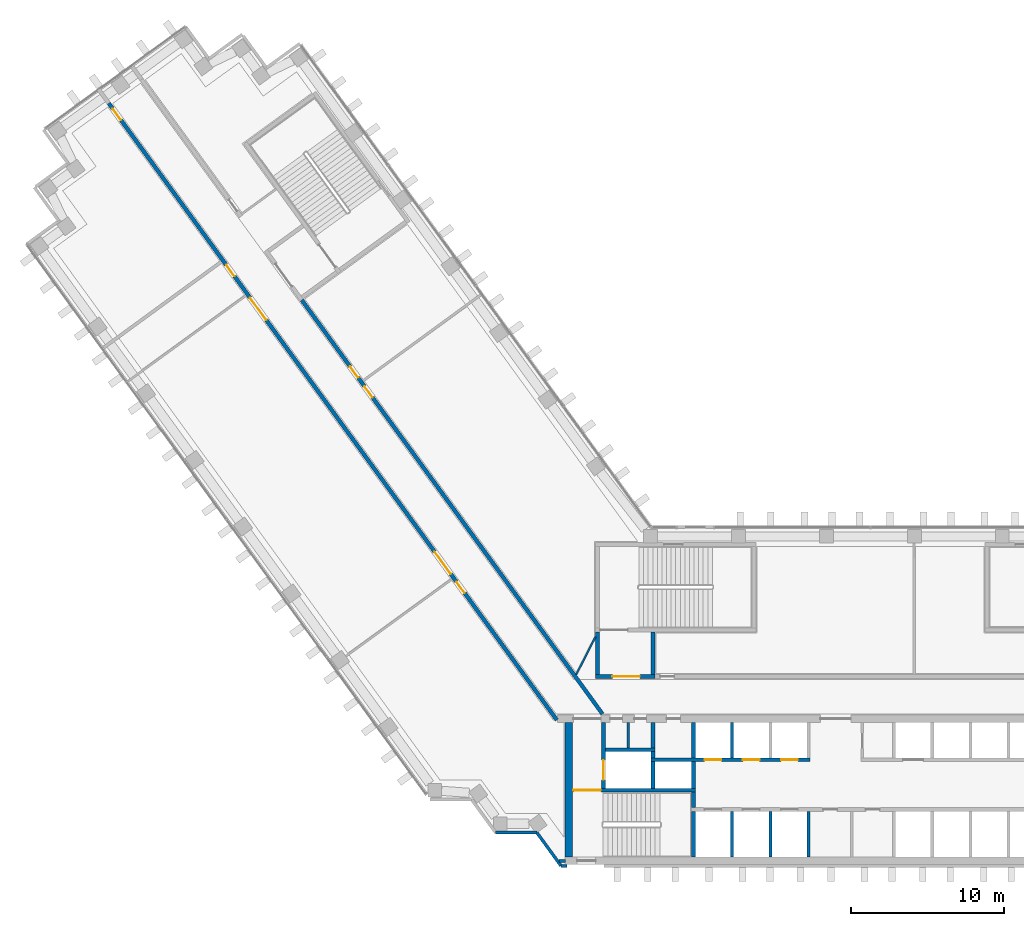
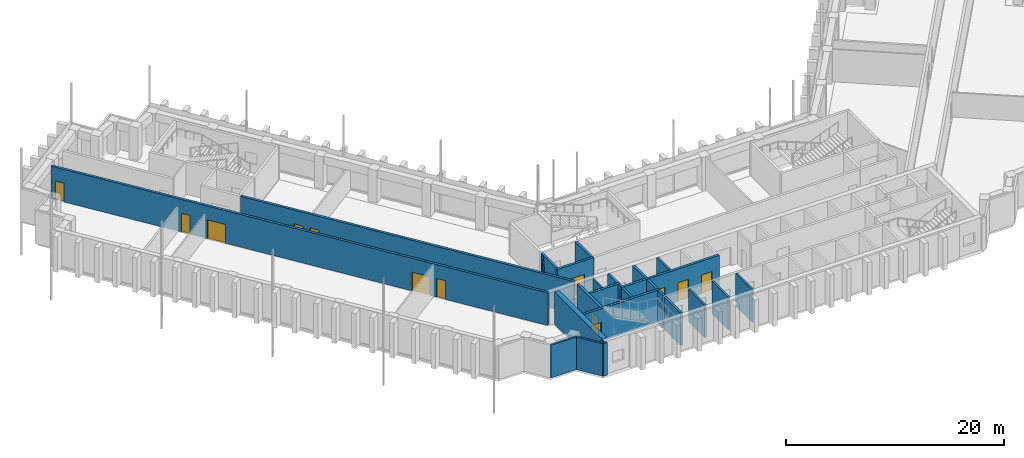
# One storey, part 9 of 16: 27 walls, 13 doors, 13 openings.
"""IFC4 building model written with IfcOpenShell, lengths in metres."""

import ifcopenshell
import ifcopenshell.guid

model = None  # the IFC model being written
_history = None  # IfcOwnerHistory: only IFC2X3 demands one
_inside = {}  # id of a spatial element -> (the spatial element, [elements in it])
_under = {}  # id of a project, library or spatial element -> (it, [spatial elements below it])
_declared = {}  # id of a project -> (the project, [libraries it declares])
_typed = {}  # id of a type object -> (the type object, [elements of that type])
_made_of = {}  # id of a material, layer set ... -> (it, [elements and type objects made of it])


def new_model(schema):
    """Start an empty IFC model of exactly this schema.

    Asked for "IFC4X3", IfcOpenShell would pick the latest addendum, in which some entities
    have other attributes; the version numbers below select the first issue.
    IFC2X3 requires an IfcOwnerHistory on every rooted entity: one is made here for all.
    """
    global model, _history
    if schema == "IFC4X3":
        model = ifcopenshell.file(schema_version=(4, 3, 0, 0))
    else:
        model = ifcopenshell.file(schema=schema)
    _inside.clear()
    _under.clear()
    _declared.clear()
    _typed.clear()
    _made_of.clear()
    _history = None
    if model.schema == "IFC2X3":
        org = make("IfcOrganization", Name="unknown")
        user = make(
            "IfcPersonAndOrganization",
            ThePerson=make("IfcPerson", FamilyName="unknown"),
            TheOrganization=org,
        )
        app = make(
            "IfcApplication",
            ApplicationDeveloper=org,
            Version="unknown",
            ApplicationFullName="unknown",
            ApplicationIdentifier="unknown",
        )
        _history = make(
            "IfcOwnerHistory",
            OwningUser=user,
            OwningApplication=app,
            ChangeAction="ADDED",
            CreationDate=0,
        )
    return model


def make(cls, **values):
    """One entity of the class cls with the attributes given. An attribute that is None is left unset."""
    return model.create_entity(
        cls, **{name: value for name, value in values.items() if value is not None}
    )


def rooted(cls, **values):
    """An entity with a GlobalId (a new one), such as an element, a storey or a relation."""
    return make(cls, GlobalId=ifcopenshell.guid.new(), OwnerHistory=_history, **values)


def si_unit(unit_type, name, prefix=None):
    """IfcSIUnit, for example si_unit("LENGTHUNIT", "METRE", prefix="MILLI")."""
    return make("IfcSIUnit", UnitType=unit_type, Prefix=prefix, Name=name)


def assignment(units):
    """IfcUnitAssignment: the units of a project."""
    return None if units is None else make("IfcUnitAssignment", Units=units)


def point(xyz):
    """IfcCartesianPoint."""
    return None if xyz is None else make("IfcCartesianPoint", Coordinates=xyz)


def direction(xyz):
    """IfcDirection."""
    return None if xyz is None else make("IfcDirection", DirectionRatios=xyz)


def frame(location, z_axis=None, x_axis=None):
    """IfcAxis2Placement3D, a coordinate frame: its origin and axes. An axis left out is left unset."""
    return make(
        "IfcAxis2Placement3D",
        Location=point(location),
        Axis=direction(z_axis),
        RefDirection=direction(x_axis),
    )


def frame_2d(location, x_axis=None):
    """IfcAxis2Placement2D, a coordinate frame in the plane: its origin and x axis."""
    return make(
        "IfcAxis2Placement2D", Location=point(location), RefDirection=direction(x_axis)
    )


def origin():
    """The frame at (0, 0, 0) with its axes left unset."""
    return frame((0.0, 0.0, 0.0))


def place(relative_to, where):
    """IfcLocalPlacement: puts the frame where relative to a parent placement (None: the world)."""
    return make(
        "IfcLocalPlacement", PlacementRelTo=relative_to, RelativePlacement=where
    )


def context(
    kind, dimensions, precision=None, world=None, true_north=None, identifier=None
):
    """IfcGeometricRepresentationContext, for example the 3D "Model" context."""
    return make(
        "IfcGeometricRepresentationContext",
        ContextIdentifier=identifier,
        ContextType=kind,
        CoordinateSpaceDimension=dimensions,
        Precision=precision,
        WorldCoordinateSystem=world,
        TrueNorth=true_north,
    )


def subcontext(parent, identifier, kind, view, scale=None):
    """IfcGeometricRepresentationSubContext, for example "Body" below "Model"."""
    return make(
        "IfcGeometricRepresentationSubContext",
        ContextIdentifier=identifier,
        ContextType=kind,
        ParentContext=parent,
        TargetScale=scale,
        TargetView=view,
    )


def project(units=None, contexts=None):
    """IfcProject with its units and contexts."""
    return rooted(
        "IfcProject",
        Name="project",
        RepresentationContexts=contexts,
        UnitsInContext=assignment(units),
    )


def spatial(cls, under=None, at=None, **own):
    """A site, building, storey or space (cls), placed at a placement, below another one or the project."""
    s = rooted(cls, ObjectPlacement=at, **own)
    if under is not None:
        _under.setdefault(under.id(), (under, []))[1].append(s)
    return s


def profile(cls, at=None, kind="AREA", **sizes):
    """A parametric profile (cls). Its sizes go by their IFC names, for example OverallWidth=200.0."""
    return make(cls, ProfileType=kind, Position=at, **sizes)


def rectangle(**sizes):
    """IfcRectangleProfileDef."""
    return profile("IfcRectangleProfileDef", **sizes)


def extrude(swept, where, along, depth):
    """IfcExtrudedAreaSolid: the profile swept, set in the frame where, extruded along a direction by depth."""
    return make(
        "IfcExtrudedAreaSolid",
        SweptArea=swept,
        Position=where,
        ExtrudedDirection=direction(along),
        Depth=depth,
    )


def shape(context_of_items, identifier, shape_type, items):
    """IfcShapeRepresentation: the items that make up one representation, for example the "Body"."""
    return make(
        "IfcShapeRepresentation",
        ContextOfItems=context_of_items,
        RepresentationIdentifier=identifier,
        RepresentationType=shape_type,
        Items=items,
    )


def material(Name=None, Category=None):
    """IfcMaterial."""
    return make("IfcMaterial", Name=Name, Category=Category)


def layer(
    of_material, thickness, ventilated=None, Name=None, Category=None, Priority=None
):
    """IfcMaterialLayer: one layer of a wall or slab, of a material (None: an air gap)."""
    return make(
        "IfcMaterialLayer",
        Material=of_material,
        LayerThickness=thickness,
        IsVentilated=ventilated,
        Name=Name,
        Category=Category,
        Priority=Priority,
    )


def layer_set(layers, Name=None):
    """IfcMaterialLayerSet."""
    return make("IfcMaterialLayerSet", MaterialLayers=layers, LayerSetName=Name)


def made_of(thing, what):
    """Note that an element or type object is made of a material, layer set ...; save() writes the relation."""
    if what is not None:
        _made_of.setdefault(what.id(), (what, []))[1].append(thing)
    return thing


def type_object(cls, material=None, **own):
    """A type object (cls), such as IfcWallType, which elements share."""
    return made_of(rooted(cls, **own), material)


def element(
    cls,
    number,
    at=None,
    inside=None,
    cuts=None,
    type_object=None,
    material=None,
    context=None,
    identifier="Body",
    shape_type=None,
    held_by="IfcProductDefinitionShape",
    body=None,
    shapes=None,
    **own,
):
    """One element of the class cls, such as IfcWall. Its Tag is "e" and its number.

    at: its placement. inside: the storey or other place that contains it. cuts: it is an
    opening in that element (IfcRelVoidsElement). A single representation is given by context,
    identifier, shape_type and body (its items); several are given by shapes. held_by: the class
    of the entity that holds the representations. save() writes the other relations.
    """
    e = rooted(cls, Tag="e%d" % number, ObjectPlacement=at, **own)
    if body is not None:
        shapes = [shape(context, identifier, shape_type, body)]
    if shapes is not None:
        e.Representation = make(held_by, Representations=shapes)
    if inside is not None:
        _inside.setdefault(inside.id(), (inside, []))[1].append(e)
    if cuts is not None:
        rooted(
            "IfcRelVoidsElement", RelatingBuildingElement=cuts, RelatedOpeningElement=e
        )
    if type_object is not None:
        _typed.setdefault(type_object.id(), (type_object, []))[1].append(e)
    return made_of(e, material)


def fill(opening, filler):
    """IfcRelFillsElement: the door or window that sits in an opening."""
    return rooted(
        "IfcRelFillsElement",
        RelatingOpeningElement=opening,
        RelatedBuildingElement=filler,
    )


def aggregate(whole, parts):
    """IfcRelAggregates: a whole, such as a stair, and the parts it consists of."""
    return rooted("IfcRelAggregates", RelatingObject=whole, RelatedObjects=parts)


def save(model, path):
    """Write the relations noted so far, then the file.

    IfcRelAggregates (storeys below a building ...), IfcRelContainedInSpatialStructure (elements
    in a storey), IfcRelDefinesByType, IfcRelAssociatesMaterial and IfcRelDeclares: one each for
    every whole, place, type object, material and project.
    """
    for whole, parts in _under.values():
        aggregate(whole, parts)
    for where, things in _inside.values():
        rooted(
            "IfcRelContainedInSpatialStructure",
            RelatedElements=things,
            RelatingStructure=where,
        )
    for kind, things in _typed.values():
        rooted("IfcRelDefinesByType", RelatedObjects=things, RelatingType=kind)
    for what, things in _made_of.values():
        rooted("IfcRelAssociatesMaterial", RelatedObjects=things, RelatingMaterial=what)
    for by, libraries in _declared.values():
        rooted("IfcRelDeclares", RelatingContext=by, RelatedDefinitions=libraries)
    model.write(path)


model = new_model("IFC4")

# Units and contexts
model_context = context("Model", 3, precision=1e-05, world=origin(), true_north=direction((0.0, 1.0)))
body_context = subcontext(model_context, "Body", "Model", "MODEL_VIEW")
ifc_project = project(units=[si_unit("LENGTHUNIT", "METRE"), si_unit("AREAUNIT", "SQUARE_METRE"), si_unit("VOLUMEUNIT", "CUBIC_METRE"), si_unit("PLANEANGLEUNIT", "RADIAN"), si_unit("MASSUNIT", "GRAM", prefix="KILO")], contexts=[model_context])

# Site, building, storey
site_placement = place(None, origin())
site = spatial("IfcSite", under=ifc_project, at=site_placement, CompositionType="ELEMENT")
building_placement = place(site_placement, origin())
building = spatial("IfcBuilding", under=site, at=building_placement, Name="Quipu Civic Tower", CompositionType="ELEMENT")
storey_placement = place(building_placement, frame((0.0, 0.0, 113.0)))
storey = spatial("IfcBuildingStorey", under=building, at=storey_placement, Name="L26", CompositionType="ELEMENT", Elevation=113.0)

# Walls
ifc_material_1 = material(Name="Concrete C70/85", Category="concrete")
ifc_layer_1 = layer(ifc_material_1, 0.25)
ifc_layer_set_1 = layer_set([ifc_layer_1], Name="Concrete C70/85")
wall_type_1 = type_object("IfcWallType", Name="Core wall 250", PredefinedType="SHEAR", material=ifc_layer_set_1)
wall_1_placement = place(storey_placement, frame((-11.574951171875, -10.5, 0.0), z_axis=(0.0, 0.0, 1.0), x_axis=(0.0, 1.0, 0.0)))
element("IfcWall", 1, at=wall_1_placement, inside=storey, type_object=wall_type_1, Name="Core wall", PredefinedType="SHEAR", context=body_context, shape_type="SweptSolid", body=[
    extrude(rectangle(XDim=3.0, YDim=0.25, at=frame_2d((1.5, 0.0))), origin(), (0.0, 0.0, 1.0), 3.64990234375),
])
wall_2_placement = place(storey_placement, frame((-11.574951171875, -7.25, 0.0), z_axis=(0.0, 0.0, 1.0), x_axis=(0.0, 1.0, 0.0)))
element("IfcWall", 2, at=wall_2_placement, inside=storey, type_object=wall_type_1, Name="Core wall", PredefinedType="SHEAR", context=body_context, shape_type="SweptSolid", body=[
    extrude(rectangle(XDim=1.0, YDim=0.25, at=frame_2d((0.5, 0.0))), origin(), (0.0, 0.0, 1.0), 3.64990234375),
])

# Wall, opening, door
wall_3_placement = place(storey_placement, frame((-11.449951171875, -6.125, 0.0), z_axis=(0.0, 0.0, 1.0), x_axis=(-1.0, 0.0, 0.0)))
wall_3 = element("IfcWall", 3, at=wall_3_placement, inside=storey, type_object=wall_type_1, Name="Core wall", PredefinedType="SHEAR", context=body_context, shape_type="SweptSolid", body=[
    extrude(rectangle(XDim=8.050048828125, YDim=0.25, at=frame_2d((4.02490234375, 0.0))), origin(), (0.0, 0.0, 1.0), 3.64990234375),
])
opening_1_placement = place(wall_3_placement, frame((6.199951171875, 0.0, 0.0)))
opening_1 = element("IfcOpeningElement", 4, at=opening_1_placement, cuts=wall_3, Name="Opening CD-03", PredefinedType="OPENING", context=body_context, shape_type="SweptSolid", body=[
    extrude(rectangle(XDim=1.800048828125, YDim=2.10009765625, at=frame_2d((0.89990234375, 1.050048828125))), frame((0.0, 0.135009765625, 0.0), z_axis=(0.0, -1.0, 0.0), x_axis=(1.0, 0.0, 0.0)), (0.0, 0.0, 1.0), 0.27001953125),
])
ifc_material_2 = material(Name="Fire rated steel door", Category="steel")
door_type_1 = type_object("IfcDoorType", Name="Fire door FD90 double 1800 x 2100", OperationType="NOTDEFINED", PredefinedType="DOOR", material=ifc_material_2)
door_1_placement = place(opening_1_placement, origin())
door_1 = element("IfcDoor", 5, at=door_1_placement, inside=storey, type_object=door_type_1, Name="Door", OperationType="DOUBLE_DOOR_SINGLE_SWING", OverallHeight=2.10009765625, OverallWidth=1.800048828125, PredefinedType="DOOR", context=body_context, shape_type="SweptSolid", body=[
    extrude(rectangle(XDim=1.800048828125, YDim=2.10009765625, at=frame_2d((0.89990234375, 1.050048828125))), frame((0.0, 0.02490234375, 0.0), z_axis=(0.0, -1.0, 0.0), x_axis=(1.0, 0.0, 0.0)), (0.0, 0.0, 1.0), 0.050048828125),
])
fill(opening_1, door_1)

wall_4_placement = place(storey_placement, frame((-17.47509765625, -6.0, 0.0), z_axis=(0.0, 0.0, 1.0), x_axis=(0.0, 1.0, 0.0)))
wall_4 = element("IfcWall", 6, at=wall_4_placement, inside=storey, type_object=wall_type_1, Name="Core wall", PredefinedType="SHEAR", context=body_context, shape_type="SweptSolid", body=[
    extrude(rectangle(XDim=4.300048828125, YDim=0.25, at=frame_2d((2.14990234375, 0.0))), origin(), (0.0, 0.0, 1.0), 3.64990234375),
])
opening_2_placement = place(wall_4_placement, frame((0.550048828125, 0.0, 0.0)))
opening_2 = element("IfcOpeningElement", 7, at=opening_2_placement, cuts=wall_4, Name="Opening LD-FF1", PredefinedType="OPENING", context=body_context, shape_type="SweptSolid", body=[
    extrude(rectangle(XDim=1.300048828125, YDim=2.10009765625, at=frame_2d((0.64990234375, 1.050048828125))), frame((0.0, 0.135009765625, 0.0), z_axis=(0.0, -1.0, 0.0), x_axis=(1.0, 0.0, 0.0)), (0.0, 0.0, 1.0), 0.27001953125),
])
ifc_material_3 = material(Name="Stainless steel", Category="steel")
door_type_2 = type_object("IfcDoorType", Name="Lift landing door 1300 x 2100", OperationType="DOUBLE_DOOR_SLIDING", PredefinedType="DOOR", material=ifc_material_3)
door_2_placement = place(opening_2_placement, origin())
door_2 = element("IfcDoor", 8, at=door_2_placement, inside=storey, type_object=door_type_2, Name="Landing door FF1", OperationType="DOUBLE_DOOR_SLIDING", OverallHeight=2.10009765625, OverallWidth=1.300048828125, PredefinedType="DOOR", context=body_context, shape_type="SweptSolid", body=[
    extrude(rectangle(XDim=1.300048828125, YDim=2.10009765625, at=frame_2d((0.64990234375, 1.050048828125))), frame((0.0, 0.02490234375, 0.0), z_axis=(0.0, -1.0, 0.0), x_axis=(1.0, 0.0, 0.0)), (0.0, 0.0, 1.0), 0.050048828125),
])
fill(opening_2, door_2)

# Walls
for number, where, z_axis, x_axis, name in (
    (9, (-14.22509765625, -6.0, 0.0), (0.0, 0.0, 1.0), (0.0, 1.0, 0.0), "Core wall"),
    (10, (-11.574951171875, -6.0, 0.0), (0.0, 0.0, 1.0), (0.0, 1.0, 0.0), "Core wall"),
):
    element("IfcWall", number, at=place(storey_placement, frame(where, z_axis=z_axis, x_axis=x_axis)), inside=storey, type_object=wall_type_1, Name=name, PredefinedType="SHEAR", context=body_context, shape_type="SweptSolid", body=[
        extrude(rectangle(XDim=1.75, YDim=0.25, at=frame_2d((0.875, 0.0))), origin(), (0.0, 0.0, 1.0), 3.64990234375),
    ])

# Wall, openings, doors
wall_5_placement = place(storey_placement, frame((-14.35009765625, -4.125, 0.0), z_axis=(0.0, 0.0, 1.0), x_axis=(1.0, 0.0, 0.0)))
wall_5 = element("IfcWall", 11, at=wall_5_placement, inside=storey, type_object=wall_type_1, Name="Core wall", PredefinedType="SHEAR", context=body_context, shape_type="SweptSolid", body=[
    extrude(rectangle(XDim=10.400146484375, YDim=0.25, at=frame_2d((5.2001953125, 0.0))), origin(), (0.0, 0.0, 1.0), 3.64990234375),
])
opening_3_placement = place(wall_5_placement, frame((3.5, 0.0, 0.0)))
opening_3 = element("IfcOpeningElement", 12, at=opening_3_placement, cuts=wall_5, Name="Opening LD-LL4", PredefinedType="OPENING", context=body_context, shape_type="SweptSolid", body=[
    extrude(rectangle(XDim=1.10009765625, YDim=2.10009765625, at=frame_2d((0.550048828125, 1.050048828125))), frame((0.0, 0.135009765625, 0.0), z_axis=(0.0, -1.0, 0.0), x_axis=(1.0, 0.0, 0.0)), (0.0, 0.0, 1.0), 0.27001953125),
])
opening_4_placement = place(wall_5_placement, frame((6.0, 0.0, 0.0)))
opening_4 = element("IfcOpeningElement", 13, at=opening_4_placement, cuts=wall_5, Name="Opening LD-LL5", PredefinedType="OPENING", context=body_context, shape_type="SweptSolid", body=[
    extrude(rectangle(XDim=1.10009765625, YDim=2.10009765625, at=frame_2d((0.550048828125, 1.050048828125))), frame((0.0, 0.135009765625, 0.0), z_axis=(0.0, -1.0, 0.0), x_axis=(1.0, 0.0, 0.0)), (0.0, 0.0, 1.0), 0.27001953125),
])
opening_5_placement = place(wall_5_placement, frame((8.5, 0.0, 0.0)))
opening_5 = element("IfcOpeningElement", 14, at=opening_5_placement, cuts=wall_5, Name="Opening LD-LL6", PredefinedType="OPENING", context=body_context, shape_type="SweptSolid", body=[
    extrude(rectangle(XDim=1.10009765625, YDim=2.10009765625, at=frame_2d((0.550048828125, 1.050048828125))), frame((0.0, 0.135009765625, 0.0), z_axis=(0.0, -1.0, 0.0), x_axis=(1.0, 0.0, 0.0)), (0.0, 0.0, 1.0), 0.27001953125),
])
ifc_material_4 = material(Name="Stainless steel", Category="steel")
door_type_3 = type_object("IfcDoorType", Name="Lift landing door 1100 x 2100", OperationType="DOUBLE_DOOR_SLIDING", PredefinedType="DOOR", material=ifc_material_4)
door_3_placement = place(opening_3_placement, origin())
door_3 = element("IfcDoor", 15, at=door_3_placement, inside=storey, type_object=door_type_3, Name="Landing door LL4", OperationType="DOUBLE_DOOR_SLIDING", OverallHeight=2.10009765625, OverallWidth=1.10009765625, PredefinedType="DOOR", context=body_context, shape_type="SweptSolid", body=[
    extrude(rectangle(XDim=1.10009765625, YDim=2.10009765625, at=frame_2d((0.550048828125, 1.050048828125))), frame((0.0, 0.02490234375, 0.0), z_axis=(0.0, -1.0, 0.0), x_axis=(1.0, 0.0, 0.0)), (0.0, 0.0, 1.0), 0.050048828125),
])
fill(opening_3, door_3)
door_4_placement = place(opening_4_placement, origin())
door_4 = element("IfcDoor", 16, at=door_4_placement, inside=storey, type_object=door_type_3, Name="Landing door LL5", OperationType="DOUBLE_DOOR_SLIDING", OverallHeight=2.10009765625, OverallWidth=1.10009765625, PredefinedType="DOOR", context=body_context, shape_type="SweptSolid", body=[
    extrude(rectangle(XDim=1.10009765625, YDim=2.10009765625, at=frame_2d((0.550048828125, 1.050048828125))), frame((0.0, 0.02490234375, 0.0), z_axis=(0.0, -1.0, 0.0), x_axis=(1.0, 0.0, 0.0)), (0.0, 0.0, 1.0), 0.050048828125),
])
fill(opening_4, door_4)
door_5_placement = place(opening_5_placement, origin())
door_5 = element("IfcDoor", 17, at=door_5_placement, inside=storey, type_object=door_type_3, Name="Landing door LL6", OperationType="DOUBLE_DOOR_SLIDING", OverallHeight=2.10009765625, OverallWidth=1.10009765625, PredefinedType="DOOR", context=body_context, shape_type="SweptSolid", body=[
    extrude(rectangle(XDim=1.10009765625, YDim=2.10009765625, at=frame_2d((0.550048828125, 1.050048828125))), frame((0.0, 0.02490234375, 0.0), z_axis=(0.0, -1.0, 0.0), x_axis=(1.0, 0.0, 0.0)), (0.0, 0.0, 1.0), 0.050048828125),
])
fill(opening_5, door_5)

# Walls
wall_6_placement = place(storey_placement, frame((-14.22509765625, -4.0, 0.0), z_axis=(0.0, 0.0, 1.0), x_axis=(0.0, 1.0, 0.0)))
element("IfcWall", 18, at=wall_6_placement, inside=storey, type_object=wall_type_1, Name="Core wall", PredefinedType="SHEAR", context=body_context, shape_type="SweptSolid", body=[
    extrude(rectangle(XDim=0.39990234375, YDim=0.25, at=frame_2d((0.199951171875, 0.0))), origin(), (0.0, 0.0, 1.0), 3.64990234375),
])
wall_7_placement = place(storey_placement, frame((-11.574951171875, -4.0, 0.0), z_axis=(0.0, 0.0, 1.0), x_axis=(0.0, 1.0, 0.0)))
element("IfcWall", 19, at=wall_7_placement, inside=storey, type_object=wall_type_1, Name="Core wall", PredefinedType="SHEAR", context=body_context, shape_type="SweptSolid", body=[
    extrude(rectangle(XDim=2.300048828125, YDim=0.25, at=frame_2d((1.14990234375, 0.0))), origin(), (0.0, 0.0, 1.0), 3.64990234375),
])
wall_8_placement = place(storey_placement, frame((-17.35009765625, -3.47509765625, 0.0), z_axis=(0.0, 0.0, 1.0), x_axis=(1.0, 0.0, 0.0)))
element("IfcWall", 20, at=wall_8_placement, inside=storey, type_object=wall_type_1, Name="Core wall", PredefinedType="SHEAR", context=body_context, shape_type="SweptSolid", body=[
    extrude(rectangle(XDim=3.25, YDim=0.25, at=frame_2d((1.625, 0.0))), origin(), (0.0, 0.0, 1.0), 3.64990234375),
])
wall_9_placement = place(storey_placement, frame((-14.22509765625, -3.35009765625, 0.0), z_axis=(0.0, 0.0, 1.0), x_axis=(0.0, 1.0, 0.0)))
element("IfcWall", 21, at=wall_9_placement, inside=storey, type_object=wall_type_1, Name="Core wall", PredefinedType="SHEAR", context=body_context, shape_type="SweptSolid", body=[
    extrude(rectangle(XDim=1.650146484375, YDim=0.25, at=frame_2d((0.8251953125, 0.0))), origin(), (0.0, 0.0, 1.0), 3.64990234375),
])

# Wall, opening, door
wall_10_placement = place(storey_placement, frame((-18.0, 1.324951171875, 0.0), z_axis=(0.0, 0.0, 1.0), x_axis=(1.0, 0.0, 0.0)))
wall_10 = element("IfcWall", 22, at=wall_10_placement, inside=storey, type_object=wall_type_1, Name="Core wall", PredefinedType="SHEAR", context=body_context, shape_type="SweptSolid", body=[
    extrude(rectangle(XDim=3.89990234375, YDim=0.25, at=frame_2d((1.949951171875, 0.0))), origin(), (0.0, 0.0, 1.0), 3.64990234375),
])
opening_6_placement = place(wall_10_placement, frame((1.10009765625, 0.0, 0.0)))
opening_6 = element("IfcOpeningElement", 23, at=opening_6_placement, cuts=wall_10, Name="Opening CD-14", PredefinedType="OPENING", context=body_context, shape_type="SweptSolid", body=[
    extrude(rectangle(XDim=1.800048828125, YDim=2.10009765625, at=frame_2d((0.89990234375, 1.050048828125))), frame((0.0, 0.135009765625, 0.0), z_axis=(0.0, -1.0, 0.0), x_axis=(1.0, 0.0, 0.0)), (0.0, 0.0, 1.0), 0.27001953125),
])
door_6_placement = place(opening_6_placement, origin())
door_6 = element("IfcDoor", 24, at=door_6_placement, inside=storey, type_object=door_type_1, Name="Lobby door", OperationType="DOUBLE_DOOR_SINGLE_SWING", OverallHeight=2.10009765625, OverallWidth=1.800048828125, PredefinedType="DOOR", context=body_context, shape_type="SweptSolid", body=[
    extrude(rectangle(XDim=1.800048828125, YDim=2.10009765625, at=frame_2d((0.89990234375, 1.050048828125))), frame((0.0, 0.02490234375, 0.0), z_axis=(0.0, -1.0, 0.0), x_axis=(1.0, 0.0, 0.0)), (0.0, 0.0, 1.0), 0.050048828125),
])
fill(opening_6, door_6)

# Walls
for number, where, z_axis, x_axis, name in (
    (25, (-17.875, 1.449951171875, 0.0), (0.0, 0.0, 1.0), (0.0, 1.0, 0.0), "Core wall"),
    (26, (-14.22509765625, 1.449951171875, 0.0), (0.0, 0.0, 1.0), (0.0, 1.0, 0.0), "Core wall"),
):
    element("IfcWall", number, at=place(storey_placement, frame(where, z_axis=z_axis, x_axis=x_axis)), inside=storey, type_object=wall_type_1, Name=name, PredefinedType="SHEAR", context=body_context, shape_type="SweptSolid", body=[
        extrude(rectangle(XDim=2.800048828125, YDim=0.25, at=frame_2d((1.39990234375, 0.0))), origin(), (0.0, 0.0, 1.0), 3.64990234375),
    ])
ifc_material_5 = material(Name="Concrete C70/85", Category="concrete")
ifc_layer_2 = layer(ifc_material_5, 0.5)
ifc_layer_set_2 = layer_set([ifc_layer_2], Name="Concrete C70/85")
wall_type_2 = type_object("IfcWallType", Name="Core wall 500", PredefinedType="SHEAR", material=ifc_layer_set_2)
wall_11_placement = place(storey_placement, frame((-19.75, -10.5, 0.0), z_axis=(0.0, 0.0, 1.0), x_axis=(0.0, 1.0, 0.0)))
element("IfcWall", 27, at=wall_11_placement, inside=storey, type_object=wall_type_2, Name="Core wall", PredefinedType="SHEAR", context=body_context, shape_type="SweptSolid", body=[
    extrude(rectangle(XDim=8.800048828125, YDim=0.5, at=frame_2d((4.39990234375, 0.0))), origin(), (0.0, 0.0, 1.0), 3.64990234375),
])

# Wall, openings, doors
ifc_material_6 = material(Name="Concrete C50/60", Category="concrete")
ifc_layer_3 = layer(ifc_material_6, 0.25)
ifc_layer_set_3 = layer_set([ifc_layer_3], Name="Concrete C50/60")
wall_type_3 = type_object("IfcWallType", Name="Corridor wall 250 concrete", PredefinedType="SOLIDWALL", material=ifc_layer_set_3)
wall_12_placement = place(storey_placement, frame((-20.531005859375, -1.5234375, 0.0), z_axis=(0.0, 0.0, 1.0), x_axis=(-0.587784522481, 0.809017524614, 0.0)))
wall_12 = element("IfcWall", 28, at=wall_12_placement, inside=storey, type_object=wall_type_3, Name="Corridor wall C02", PredefinedType="SOLIDWALL", context=body_context, shape_type="SweptSolid", body=[
    extrude(rectangle(XDim=49.912353515625, YDim=0.25, at=frame_2d((24.9560546875, 0.0))), origin(), (0.0, 0.0, 1.0), 3.64990234375),
])
opening_7_placement = place(wall_12_placement, frame((10.265869140625, 0.0, 0.0)))
opening_7 = element("IfcOpeningElement", 29, at=opening_7_placement, cuts=wall_12, Name="Opening D015", PredefinedType="OPENING", context=body_context, shape_type="SweptSolid", body=[
    extrude(rectangle(XDim=0.89990234375, YDim=2.10009765625, at=frame_2d((0.449951171875, 1.050048828125))), frame((0.0, 0.135009765625, 0.0), z_axis=(0.0, -1.0, 0.0), x_axis=(1.0, 0.0, 0.0)), (0.0, 0.0, 1.0), 0.27001953125),
])
opening_8_placement = place(wall_12_placement, frame((32.365966796875, 0.0, 0.0)))
opening_8 = element("IfcOpeningElement", 30, at=opening_8_placement, cuts=wall_12, Name="Opening D013", PredefinedType="OPENING", context=body_context, shape_type="SweptSolid", body=[
    extrude(rectangle(XDim=1.800048828125, YDim=2.10009765625, at=frame_2d((0.89990234375, 1.050048828125))), frame((0.0, 0.135009765625, 0.0), z_axis=(0.0, -1.0, 0.0), x_axis=(1.0, 0.0, 0.0)), (0.0, 0.0, 1.0), 0.27001953125),
])
opening_9_placement = place(wall_12_placement, frame((11.8154296875, 0.0, 0.0)))
opening_9 = element("IfcOpeningElement", 31, at=opening_9_placement, cuts=wall_12, Name="Opening D014", PredefinedType="OPENING", context=body_context, shape_type="SweptSolid", body=[
    extrude(rectangle(XDim=1.800048828125, YDim=2.10009765625, at=frame_2d((0.89990234375, 1.050048828125))), frame((0.0, 0.135009765625, 0.0), z_axis=(0.0, -1.0, 0.0), x_axis=(1.0, 0.0, 0.0)), (0.0, 0.0, 1.0), 0.27001953125),
])
opening_10_placement = place(wall_12_placement, frame((48.5703125, 0.0, 0.0)))
opening_10 = element("IfcOpeningElement", 32, at=opening_10_placement, cuts=wall_12, Name="Opening D011", PredefinedType="OPENING", context=body_context, shape_type="SweptSolid", body=[
    extrude(rectangle(XDim=0.89990234375, YDim=2.10009765625, at=frame_2d((0.449951171875, 1.050048828125))), frame((0.0, 0.135009765625, 0.0), z_axis=(0.0, -1.0, 0.0), x_axis=(1.0, 0.0, 0.0)), (0.0, 0.0, 1.0), 0.27001953125),
])
opening_11_placement = place(wall_12_placement, frame((35.9150390625, 0.0, 0.0)))
opening_11 = element("IfcOpeningElement", 33, at=opening_11_placement, cuts=wall_12, Name="Opening D012", PredefinedType="OPENING", context=body_context, shape_type="SweptSolid", body=[
    extrude(rectangle(XDim=0.89990234375, YDim=2.10009765625, at=frame_2d((0.449951171875, 1.050048828125))), frame((0.0, 0.135009765625, 0.0), z_axis=(0.0, -1.0, 0.0), x_axis=(1.0, 0.0, 0.0)), (0.0, 0.0, 1.0), 0.27001953125),
])
ifc_material_7 = material(Name="Fire rated timber door set with metal frame", Category="wood")
door_type_4 = type_object("IfcDoorType", Name="Double door 1800 x 2100 FD60", OperationType="DOUBLE_DOOR_SINGLE_SWING", PredefinedType="DOOR", material=ifc_material_7)
door_7_placement = place(opening_8_placement, origin())
door_7 = element("IfcDoor", 34, at=door_7_placement, inside=storey, type_object=door_type_4, Name="Door D013", OperationType="DOUBLE_DOOR_SINGLE_SWING", OverallHeight=2.10009765625, OverallWidth=1.800048828125, PredefinedType="DOOR", context=body_context, shape_type="SweptSolid", body=[
    extrude(rectangle(XDim=1.800048828125, YDim=2.10009765625, at=frame_2d((0.89990234375, 1.050048828125))), frame((0.0, 0.02490234375, 0.0), z_axis=(0.0, -1.0, 0.0), x_axis=(1.0, 0.0, 0.0)), (0.0, 0.0, 1.0), 0.050048828125),
])
fill(opening_8, door_7)
door_8_placement = place(opening_9_placement, origin())
door_8 = element("IfcDoor", 35, at=door_8_placement, inside=storey, type_object=door_type_4, Name="Door D014", OperationType="DOUBLE_DOOR_SINGLE_SWING", OverallHeight=2.10009765625, OverallWidth=1.800048828125, PredefinedType="DOOR", context=body_context, shape_type="SweptSolid", body=[
    extrude(rectangle(XDim=1.800048828125, YDim=2.10009765625, at=frame_2d((0.89990234375, 1.050048828125))), frame((0.0, 0.02490234375, 0.0), z_axis=(0.0, -1.0, 0.0), x_axis=(1.0, 0.0, 0.0)), (0.0, 0.0, 1.0), 0.050048828125),
])
fill(opening_9, door_8)
ifc_material_8 = material(Name="Fire rated timber door set with metal frame", Category="wood")
door_type_5 = type_object("IfcDoorType", Name="Single door 900 x 2100 FD60", OperationType="NOTDEFINED", PredefinedType="DOOR", material=ifc_material_8)
door_9_placement = place(opening_7_placement, origin())
door_9 = element("IfcDoor", 36, at=door_9_placement, inside=storey, type_object=door_type_5, Name="Door D015", OperationType="SINGLE_SWING_RIGHT", OverallHeight=2.10009765625, OverallWidth=0.89990234375, PredefinedType="DOOR", context=body_context, shape_type="SweptSolid", body=[
    extrude(rectangle(XDim=0.89990234375, YDim=2.10009765625, at=frame_2d((0.449951171875, 1.050048828125))), frame((0.0, 0.02490234375, 0.0), z_axis=(0.0, -1.0, 0.0), x_axis=(1.0, 0.0, 0.0)), (0.0, 0.0, 1.0), 0.050048828125),
])
fill(opening_7, door_9)
door_10_placement = place(opening_10_placement, origin())
door_10 = element("IfcDoor", 37, at=door_10_placement, inside=storey, type_object=door_type_5, Name="Door D011", OperationType="SINGLE_SWING_RIGHT", OverallHeight=2.10009765625, OverallWidth=0.89990234375, PredefinedType="DOOR", context=body_context, shape_type="SweptSolid", body=[
    extrude(rectangle(XDim=0.89990234375, YDim=2.10009765625, at=frame_2d((0.449951171875, 1.050048828125))), frame((0.0, 0.02490234375, 0.0), z_axis=(0.0, -1.0, 0.0), x_axis=(1.0, 0.0, 0.0)), (0.0, 0.0, 1.0), 0.050048828125),
])
fill(opening_10, door_10)
door_11_placement = place(opening_11_placement, origin())
door_11 = element("IfcDoor", 38, at=door_11_placement, inside=storey, type_object=door_type_5, Name="Door D012", OperationType="SINGLE_SWING_RIGHT", OverallHeight=2.10009765625, OverallWidth=0.89990234375, PredefinedType="DOOR", context=body_context, shape_type="SweptSolid", body=[
    extrude(rectangle(XDim=0.89990234375, YDim=2.10009765625, at=frame_2d((0.449951171875, 1.050048828125))), frame((0.0, 0.02490234375, 0.0), z_axis=(0.0, -1.0, 0.0), x_axis=(1.0, 0.0, 0.0)), (0.0, 0.0, 1.0), 0.050048828125),
])
fill(opening_11, door_11)

wall_13_placement = place(storey_placement, frame((-37.231689453125, 25.9716796875, 0.0), z_axis=(0.0, 0.0, 1.0), x_axis=(0.587786323093, -0.809016216391, 0.0)))
wall_13 = element("IfcWall", 39, at=wall_13_placement, inside=storey, type_object=wall_type_3, Name="Corridor wall C04", PredefinedType="SOLIDWALL", context=body_context, shape_type="SweptSolid", body=[
    extrude(rectangle(XDim=33.4931640625, YDim=0.25, at=frame_2d((16.74658203125, 0.0))), origin(), (0.0, 0.0, 1.0), 3.64990234375),
])
opening_12_placement = place(wall_13_placement, frame((5.38525390625, 0.0, 0.0)))
opening_12 = element("IfcOpeningElement", 40, at=opening_12_placement, cuts=wall_13, Name="Opening D009", PredefinedType="OPENING", context=body_context, shape_type="SweptSolid", body=[
    extrude(rectangle(XDim=0.89990234375, YDim=2.10009765625, at=frame_2d((0.449951171875, 1.050048828125))), frame((0.0, 0.135009765625, 0.0), z_axis=(0.0, -1.0, 0.0), x_axis=(1.0, 0.0, 0.0)), (0.0, 0.0, 1.0), 0.27001953125),
])
opening_13_placement = place(wall_13_placement, frame((6.985107421875, 0.0, 0.0)))
opening_13 = element("IfcOpeningElement", 41, at=opening_13_placement, cuts=wall_13, Name="Opening D010", PredefinedType="OPENING", context=body_context, shape_type="SweptSolid", body=[
    extrude(rectangle(XDim=0.89990234375, YDim=2.10009765625, at=frame_2d((0.449951171875, 1.050048828125))), frame((0.0, 0.135009765625, 0.0), z_axis=(0.0, -1.0, 0.0), x_axis=(1.0, 0.0, 0.0)), (0.0, 0.0, 1.0), 0.27001953125),
])
door_12_placement = place(opening_12_placement, origin())
door_12 = element("IfcDoor", 42, at=door_12_placement, inside=storey, type_object=door_type_5, Name="Door D009", OperationType="SINGLE_SWING_RIGHT", OverallHeight=2.10009765625, OverallWidth=0.89990234375, PredefinedType="DOOR", context=body_context, shape_type="SweptSolid", body=[
    extrude(rectangle(XDim=0.89990234375, YDim=2.10009765625, at=frame_2d((0.449951171875, 1.050048828125))), frame((0.0, 0.02490234375, 0.0), z_axis=(0.0, -1.0, 0.0), x_axis=(1.0, 0.0, 0.0)), (0.0, 0.0, 1.0), 0.050048828125),
])
fill(opening_12, door_12)
door_13_placement = place(opening_13_placement, origin())
door_13 = element("IfcDoor", 43, at=door_13_placement, inside=storey, type_object=door_type_5, Name="Door D010", OperationType="SINGLE_SWING_LEFT", OverallHeight=2.10009765625, OverallWidth=0.89990234375, PredefinedType="DOOR", context=body_context, shape_type="SweptSolid", body=[
    extrude(rectangle(XDim=0.89990234375, YDim=2.10009765625, at=frame_2d((0.449951171875, 1.050048828125))), frame((0.0, 0.02490234375, 0.0), z_axis=(0.0, -1.0, 0.0), x_axis=(1.0, 0.0, 0.0)), (0.0, 0.0, 1.0), 0.050048828125),
])
fill(opening_13, door_13)

# Walls
ifc_material_9 = material(Name="Gypsum plasterboard on light gauge framing")
ifc_layer_4 = layer(ifc_material_9, 0.1201171875)
ifc_layer_set_4 = layer_set([ifc_layer_4], Name="Gypsum plasterboard on light gauge framing")
wall_type_4 = type_object("IfcWallType", Name="Partition 120 plasterboard", PredefinedType="PARTITIONING", material=ifc_layer_set_4)
wall_14_placement = place(storey_placement, frame((-19.260986328125, 1.449951171875, 0.0), z_axis=(0.0, 0.0, 1.0), x_axis=(0.453950796792, 0.891026752736, 0.0)))
element("IfcWall", 44, at=wall_14_placement, inside=storey, type_object=wall_type_4, Name="Partition P11", PredefinedType="PARTITIONING", context=body_context, shape_type="SweptSolid", body=[
    extrude(rectangle(XDim=2.77783203125, YDim=0.1201171875, at=frame_2d((1.388916015625, 0.0))), origin(), (0.0, 0.0, 1.0), 3.64990234375),
])
ifc_material_10 = material(Name="Gypsum board partition")
ifc_layer_5 = layer(ifc_material_10, 0.14990234375)
ifc_layer_set_5 = layer_set([ifc_layer_5], Name="Gypsum board partition")
wall_type_5 = type_object("IfcWallType", Name="Partition 150", PredefinedType="PARTITIONING", material=ifc_layer_set_5)
wall_15_placement = place(storey_placement, frame((-15.85009765625, -3.35009765625, 0.0), z_axis=(0.0, 0.0, 1.0), x_axis=(0.0, 1.0, 0.0)))
element("IfcWall", 45, at=wall_15_placement, inside=storey, type_object=wall_type_5, Name="Partition", PredefinedType="PARTITIONING", context=body_context, shape_type="SweptSolid", body=[
    extrude(rectangle(XDim=1.650146484375, YDim=0.14990234375, at=frame_2d((0.8251953125, 0.0))), origin(), (0.0, 0.0, 1.0), 3.64990234375),
])
ifc_material_11 = material(Name="Precast concrete C40/50", Category="concrete")
wall_type_6 = type_object("IfcWallType", Name="Precast cladding wall", PredefinedType="SOLIDWALL", material=ifc_material_11)
wall_16_placement = place(storey_placement, frame((-24.542724609375, -8.90380859375, 0.0), z_axis=(0.0, 0.0, 1.0), x_axis=(1.0, 0.0, 0.0)))
element("IfcWall", 46, at=wall_16_placement, inside=storey, type_object=wall_type_6, Name="Precast cladding wall L26 P17", PredefinedType="SOLIDWALL", context=body_context, shape_type="SweptSolid", body=[
    extrude(rectangle(XDim=2.699951171875, YDim=0.199951171875, at=frame_2d((1.35009765625, 0.0))), origin(), (0.0, 0.0, 1.0), 3.64990234375),
])
wall_17_placement = place(storey_placement, frame((-21.8330078125, -8.90869140625, 0.0), z_axis=(0.0, 0.0, 1.0), x_axis=(0.587766567315, -0.809030569476, 0.0)))
element("IfcWall", 47, at=wall_17_placement, inside=storey, type_object=wall_type_6, Name="Precast cladding wall L26 P18", PredefinedType="SOLIDWALL", context=body_context, shape_type="SweptSolid", body=[
    extrude(rectangle(XDim=2.687744140625, YDim=0.199951171875, at=frame_2d((1.34375, 0.0))), origin(), (0.0, 0.0, 1.0), 3.64990234375),
])
wall_18_placement = place(storey_placement, frame((-20.255859375, -11.087890625, 0.0), z_axis=(0.0, 0.0, 1.0), x_axis=(1.0, 0.0, 0.0)))
element("IfcWall", 48, at=wall_18_placement, inside=storey, type_object=wall_type_6, Name="Precast cladding wall L26 P19", PredefinedType="SOLIDWALL", context=body_context, shape_type="SweptSolid", body=[
    extrude(rectangle(XDim=0.40576171875, YDim=0.199951171875, at=frame_2d((0.202880859375, 0.0))), origin(), (0.0, 0.0, 1.0), 3.64990234375),
])
wall_19_placement = place(storey_placement, frame((-19.97998046875, -10.75, 0.0), z_axis=(0.0, 0.0, 1.0), x_axis=(-1.0, 0.0, 0.0)))
element("IfcWall", 49, at=wall_19_placement, inside=storey, type_object=wall_type_6, Name="Precast cladding return L26 W", PredefinedType="SOLIDWALL", context=body_context, shape_type="SweptSolid", body=[
    extrude(rectangle(XDim=0.41650390625, YDim=0.199951171875, at=frame_2d((0.208251953125, 0.0))), origin(), (0.0, 0.0, 1.0), 3.64990234375),
])
ifc_material_12 = material(Name="Concrete C40/50", Category="concrete")
ifc_layer_6 = layer(ifc_material_12, 0.199951171875)
ifc_layer_set_6 = layer_set([ifc_layer_6], Name="Concrete C40/50")
wall_type_7 = type_object("IfcWallType", Name="Shaft wall 200", PredefinedType="SOLIDWALL", material=ifc_layer_set_6)
for number, where, z_axis, x_axis, name in (
    (50, (-9.050048828125, -10.5, 0.0), (0.0, 0.0, 1.0), (0.0, 1.0, 0.0), "Shaft wall"),
    (51, (-6.550048828125, -10.5, 0.0), (0.0, 0.0, 1.0), (0.0, 1.0, 0.0), "Shaft wall"),
    (52, (-4.050048828125, -10.5, 0.0), (0.0, 0.0, 1.0), (0.0, 1.0, 0.0), "Shaft wall"),
):
    element("IfcWall", number, at=place(storey_placement, frame(where, z_axis=z_axis, x_axis=x_axis)), inside=storey, type_object=wall_type_7, Name=name, PredefinedType="SOLIDWALL", context=body_context, shape_type="SweptSolid", body=[
        extrude(rectangle(XDim=3.0, YDim=0.199951171875, at=frame_2d((1.5, 0.0))), origin(), (0.0, 0.0, 1.0), 3.64990234375),
    ])
wall_20_placement = place(storey_placement, frame((-9.050048828125, -4.0, 0.0), z_axis=(0.0, 0.0, 1.0), x_axis=(0.0, 1.0, 0.0)))
element("IfcWall", 53, at=wall_20_placement, inside=storey, type_object=wall_type_7, Name="Shaft wall", PredefinedType="SOLIDWALL", context=body_context, shape_type="SweptSolid", body=[
    extrude(rectangle(XDim=2.300048828125, YDim=0.199951171875, at=frame_2d((1.14990234375, 0.0))), origin(), (0.0, 0.0, 1.0), 3.64990234375),
])

save(model, "model.ifc")
